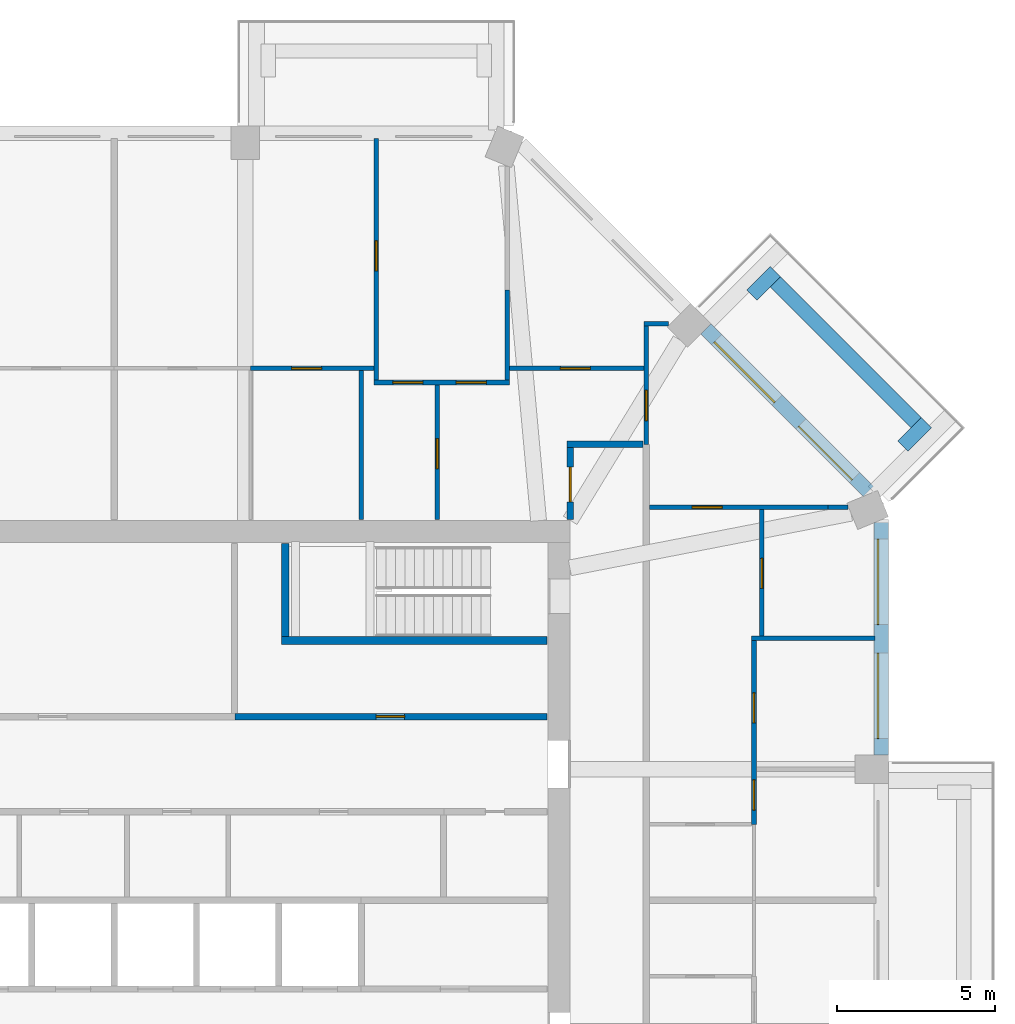
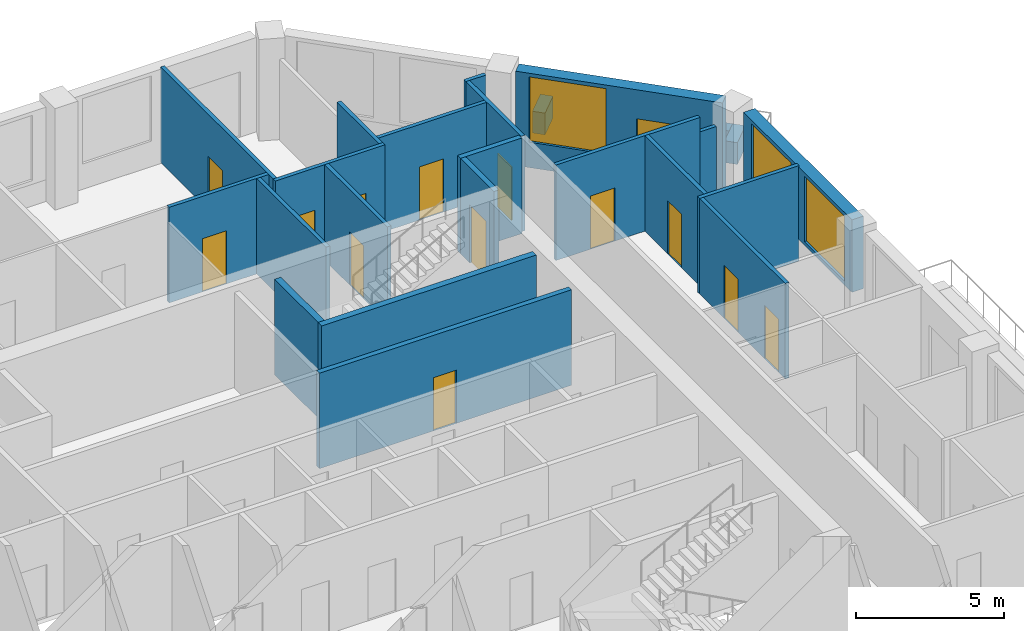
# One storey, part 9 of 12: 24 walls, 14 doors, 3 windows, 17 openings.
"""IFC4 building model written with IfcOpenShell, lengths in metres."""

from ifc_helpers import new_model, si_unit, direction, frame, frame_2d, origin, place, context, subcontext, project, spatial, rectangle, extrude, material, layer, layer_set, type_object, element, fill, save


model = new_model("IFC4")

# Units and contexts
model_context = context("Model", 3, precision=1e-05, world=origin(), true_north=direction((0.0, 1.0)))
body_context = subcontext(model_context, "Body", "Model", "MODEL_VIEW")
ifc_project = project(units=[si_unit("LENGTHUNIT", "METRE"), si_unit("AREAUNIT", "SQUARE_METRE"), si_unit("VOLUMEUNIT", "CUBIC_METRE"), si_unit("PLANEANGLEUNIT", "RADIAN"), si_unit("MASSUNIT", "GRAM", prefix="KILO")], contexts=[model_context])

# Site, building, storey
site_placement = place(None, origin())
site = spatial("IfcSite", under=ifc_project, at=site_placement, CompositionType="ELEMENT")
building_placement = place(site_placement, origin())
building = spatial("IfcBuilding", under=site, at=building_placement, Name="Msitu Wima Residences", CompositionType="ELEMENT")
storey_placement = place(building_placement, frame((0.0, 0.0, 183.300048828125)))
storey = spatial("IfcBuildingStorey", under=building, at=storey_placement, Name="L42", CompositionType="ELEMENT", Elevation=183.300048828125)

# Walls
ifc_material_1 = material(Name="Facing brick")
ifc_layer_1 = layer(ifc_material_1, 0.06494140625, Name="Facing brick")
ifc_material_2 = material(Name="Concrete C40/50", Category="concrete")
ifc_layer_2 = layer(ifc_material_2, 0.156005859375, Name="Concrete C40/50")
ifc_material_3 = material(Name="Waterproofing membrane")
ifc_layer_3 = layer(ifc_material_3, 0.00390625, Name="Waterproofing membrane")
ifc_material_4 = material(Name="Planting soil and planting")
ifc_layer_4 = layer(ifc_material_4, 0.22509765625, Name="Planting soil and planting")
ifc_layer_set_1 = layer_set([ifc_layer_1, ifc_layer_2, ifc_layer_3, ifc_layer_4], Name="Concrete C40/50")
wall_type_1 = type_object("IfcWallType", Name="Balcony planter PLANTER PL450", PredefinedType="USERDEFINED", material=ifc_layer_set_1)
wall_1_placement = place(storey_placement, frame((25.325927734375, 15.0810546875, 0.0), z_axis=(0.0, 0.0, 1.0), x_axis=(-0.707106781187, 0.707106781187, 0.0)))
element("IfcWall", 1, at=wall_1_placement, inside=storey, type_object=wall_type_1, Name="Balcony planter NE0 L42", ObjectType="PLANTER", PredefinedType="USERDEFINED", context=body_context, shape_type="SweptSolid", body=[
    extrude(rectangle(XDim=6.294189453125, YDim=0.449951171875, at=frame_2d((3.14697265625, 0.0))), origin(), (0.0, 0.0, 1.0), 0.89990234375),
])
for number, where, z_axis, x_axis, name in (
    (2, (24.901611328125, 14.338623046875, 0.0), (0.0, 0.0, 1.0), (0.707106781187, 0.707106781187, 0.0), "Balcony planter NE0 L42"),
    (3, (20.1328125, 19.107421875, 0.0), (0.0, 0.0, 1.0), (0.707106781187, 0.707106781187, 0.0), "Balcony planter NE0 L42"),
):
    element("IfcWall", number, at=place(storey_placement, frame(where, z_axis=z_axis, x_axis=x_axis)), inside=storey, type_object=wall_type_1, Name=name, ObjectType="PLANTER", PredefinedType="USERDEFINED", context=body_context, shape_type="SweptSolid", body=[
        extrude(rectangle(XDim=1.050048828125, YDim=0.449951171875, at=frame_2d((0.52490234375, 0.0))), origin(), (0.0, 0.0, 1.0), 0.89990234375),
    ])

# Wall, openings, windows
ifc_material_5 = material(Name="Brick (red buff mix)", Category="masonry")
ifc_layer_5 = layer(ifc_material_5, 0.449951171875)
ifc_layer_set_2 = layer_set([ifc_layer_5], Name="Brick (red buff mix)")
wall_type_2 = type_object("IfcWallType", Name="Brick infill wall BW450", PredefinedType="SOLIDWALL", material=ifc_layer_set_2)
wall_2_placement = place(storey_placement, frame((24.22509765625, 4.587158203125, 0.89990234375), z_axis=(0.0, 0.0, 1.0), x_axis=(0.0, 1.0, 0.0)))
wall_2 = element("IfcWall", 4, at=wall_2_placement, inside=storey, type_object=wall_type_2, Name="Brick infill wall L42 E2", PredefinedType="SOLIDWALL", context=body_context, shape_type="SweptSolid", body=[
    extrude(rectangle(XDim=7.337646484375, YDim=0.449951171875, at=frame_2d((3.6689453125, 0.0))), origin(), (0.0, 0.0, 1.0), 3.0),
])
opening_1_placement = place(wall_2_placement, frame((0.518798828125, 0.0, 0.14990234375)))
opening_1 = element("IfcOpeningElement", 5, at=opening_1_placement, cuts=wall_2, Name="Opening W40-42.004", PredefinedType="OPENING", context=body_context, shape_type="SweptSolid", body=[
    extrude(rectangle(XDim=2.699951171875, YDim=2.699951171875, at=frame_2d((1.35009765625, 1.35009765625))), frame((0.0, 0.23486328125, 0.0), z_axis=(0.0, -1.0, 0.0), x_axis=(1.0, 0.0, 0.0)), (0.0, 0.0, 1.0), 0.469970703125),
])
opening_2_placement = place(wall_2_placement, frame((4.11865234375, 0.0, 0.14990234375)))
opening_2 = element("IfcOpeningElement", 6, at=opening_2_placement, cuts=wall_2, Name="Opening W40-42.005", PredefinedType="OPENING", context=body_context, shape_type="SweptSolid", body=[
    extrude(rectangle(XDim=2.699951171875, YDim=2.699951171875, at=frame_2d((1.35009765625, 1.35009765625))), frame((0.0, 0.23486328125, 0.0), z_axis=(0.0, -1.0, 0.0), x_axis=(1.0, 0.0, 0.0)), (0.0, 0.0, 1.0), 0.469970703125),
])
ifc_material_6 = material(Name="Anodised aluminium, bronze finish, clear low-emissivity double glazing", Category="aluminium")
window_type = type_object("IfcWindowType", Name="Window W2700x2700", PartitioningType="DOUBLE_PANEL_VERTICAL", PredefinedType="WINDOW", material=ifc_material_6)
window_1_placement = place(opening_1_placement, origin())
window_1 = element("IfcWindow", 7, at=window_1_placement, inside=storey, type_object=window_type, Name="Window L42 E2.1", OverallHeight=2.699951171875, OverallWidth=2.699951171875, PartitioningType="SINGLE_PANEL", PredefinedType="WINDOW", context=body_context, shape_type="SweptSolid", body=[
    extrude(rectangle(XDim=2.699951171875, YDim=2.699951171875, at=frame_2d((1.35009765625, 1.35009765625))), frame((0.0, 0.135009765625, 0.0), z_axis=(0.0, -1.0, 0.0), x_axis=(1.0, 0.0, 0.0)), (0.0, 0.0, 1.0), 0.06005859375),
])
fill(opening_1, window_1)
window_2_placement = place(opening_2_placement, origin())
window_2 = element("IfcWindow", 8, at=window_2_placement, inside=storey, type_object=window_type, Name="Window L42 E2.2", OverallHeight=2.699951171875, OverallWidth=2.699951171875, PartitioningType="SINGLE_PANEL", PredefinedType="WINDOW", context=body_context, shape_type="SweptSolid", body=[
    extrude(rectangle(XDim=2.699951171875, YDim=2.699951171875, at=frame_2d((1.35009765625, 1.35009765625))), frame((0.0, 0.135009765625, 0.0), z_axis=(0.0, -1.0, 0.0), x_axis=(1.0, 0.0, 0.0)), (0.0, 0.0, 1.0), 0.06005859375),
])
fill(opening_2, window_2)

# Wall, openings, door, window
wall_3_placement = place(storey_placement, frame((23.814697265625, 12.915283203125, 0.0), z_axis=(0.0, 0.0, 1.0), x_axis=(-0.707106781187, 0.707106781187, 0.0)))
wall_3 = element("IfcWall", 9, at=wall_3_placement, inside=storey, type_object=wall_type_2, Name="Brick infill wall L42 NE0", PredefinedType="SOLIDWALL", context=body_context, shape_type="SweptSolid", body=[
    extrude(rectangle(XDim=7.257080078125, YDim=0.449951171875, at=frame_2d((3.62841796875, 0.0))), origin(), (0.0, 0.0, 1.0), 3.89990234375),
])
opening_3_placement = place(wall_3_placement, frame((0.6142578125, 0.0, 0.0)))
opening_3 = element("IfcOpeningElement", 10, at=opening_3_placement, cuts=wall_3, Name="Opening D40-42.004", PredefinedType="OPENING", context=body_context, shape_type="SweptSolid", body=[
    extrude(rectangle(XDim=2.39990234375, YDim=2.699951171875, at=frame_2d((1.199951171875, 1.35009765625))), frame((0.0, 0.23486328125, 0.0), z_axis=(0.0, -1.0, 0.0), x_axis=(1.0, 0.0, 0.0)), (0.0, 0.0, 1.0), 0.469970703125),
])
opening_4_placement = place(wall_3_placement, frame((4.07861328125, 0.0, 1.050048828125)))
opening_4 = element("IfcOpeningElement", 11, at=opening_4_placement, cuts=wall_3, Name="Opening W40-42.010", PredefinedType="OPENING", context=body_context, shape_type="SweptSolid", body=[
    extrude(rectangle(XDim=2.699951171875, YDim=2.699951171875, at=frame_2d((1.35009765625, 1.35009765625))), frame((0.0, 0.23486328125, 0.0), z_axis=(0.0, -1.0, 0.0), x_axis=(1.0, 0.0, 0.0)), (0.0, 0.0, 1.0), 0.469970703125),
])
door_type_1 = type_object("IfcDoorType", Name="Balcony door D2400x2700", OperationType="SLIDING_TO_LEFT", PredefinedType="DOOR", material=ifc_material_6)
door_1_placement = place(opening_3_placement, origin())
door_1 = element("IfcDoor", 12, at=door_1_placement, inside=storey, type_object=door_type_1, Name="Balcony door L42 NE0", OperationType="SINGLE_SWING_LEFT", OverallHeight=2.699951171875, OverallWidth=2.39990234375, PredefinedType="DOOR", context=body_context, shape_type="SweptSolid", body=[
    extrude(rectangle(XDim=2.39990234375, YDim=2.699951171875, at=frame_2d((1.199951171875, 1.35009765625))), frame((0.0, 0.1298828125, 0.0), z_axis=(0.0, -1.0, 0.0), x_axis=(1.0, 0.0, 0.0)), (0.0, 0.0, 1.0), 0.050048828125),
])
fill(opening_3, door_1)
window_3_placement = place(opening_4_placement, origin())
window_3 = element("IfcWindow", 13, at=window_3_placement, inside=storey, type_object=window_type, Name="Window L42 NE0.2", OverallHeight=2.699951171875, OverallWidth=2.699951171875, PartitioningType="SINGLE_PANEL", PredefinedType="WINDOW", context=body_context, shape_type="SweptSolid", body=[
    extrude(rectangle(XDim=2.699951171875, YDim=2.699951171875, at=frame_2d((1.35009765625, 1.35009765625))), frame((0.0, 0.135009765625, 0.0), z_axis=(0.0, -1.0, 0.0), x_axis=(1.0, 0.0, 0.0)), (0.0, 0.0, 1.0), 0.06005859375),
])
fill(opening_4, window_3)

# Wall, opening, door
ifc_material_7 = material(Name="Plaster")
ifc_layer_6 = layer(ifc_material_7, 0.011962890625, Name="Plaster")
ifc_material_8 = material(Name="Concrete blockwork", Category="masonry")
ifc_layer_7 = layer(ifc_material_8, 0.176025390625, Name="Concrete blockwork")
ifc_layer_8 = layer(ifc_material_7, 0.011962890625, Name="Plaster")
ifc_layer_set_3 = layer_set([ifc_layer_6, ifc_layer_7, ifc_layer_8], Name="Concrete blockwork")
wall_type_3 = type_object("IfcWallType", Name="Corridor wall FW200", PredefinedType="PARTITIONING", material=ifc_layer_set_3)
wall_4_placement = place(storey_placement, frame((14.39990234375, 12.030029296875, 0.0), z_axis=(0.0, 0.0, 1.0), x_axis=(0.0, 1.0, 0.0)))
wall_4 = element("IfcWall", 14, at=wall_4_placement, inside=storey, type_object=wall_type_3, Name="Corridor wall", PredefinedType="PARTITIONING", context=body_context, shape_type="SweptSolid", body=[
    extrude(rectangle(XDim=2.27001953125, YDim=0.199951171875, at=frame_2d((1.135009765625, 0.0))), origin(), (0.0, 0.0, 1.0), 3.949951171875),
])
opening_5_placement = place(wall_4_placement, frame((0.550048828125, 0.0, 0.0)))
opening_5 = element("IfcOpeningElement", 15, at=opening_5_placement, cuts=wall_4, Name="Opening D40-42.011", PredefinedType="OPENING", context=body_context, shape_type="SweptSolid", body=[
    extrude(rectangle(XDim=1.10009765625, YDim=2.39990234375, at=frame_2d((0.550048828125, 1.199951171875))), frame((0.0, 0.10986328125, 0.0), z_axis=(0.0, -1.0, 0.0), x_axis=(1.0, 0.0, 0.0)), (0.0, 0.0, 1.0), 0.219970703125),
])
ifc_material_9 = material(Name="Timber flush door, fire resisting, self-closing", Category="wood")
door_type_2 = type_object("IfcDoorType", Name="Flat entrance door D01 1100x2400", OperationType="SINGLE_SWING_LEFT", PredefinedType="DOOR", material=ifc_material_9)
door_2_placement = place(opening_5_placement, origin())
door_2 = element("IfcDoor", 16, at=door_2_placement, inside=storey, type_object=door_type_2, Name="Flat entrance door", OperationType="SINGLE_SWING_LEFT", OverallHeight=2.39990234375, OverallWidth=1.10009765625, PredefinedType="DOOR", context=body_context, shape_type="SweptSolid", body=[
    extrude(rectangle(XDim=1.10009765625, YDim=2.39990234375, at=frame_2d((0.550048828125, 1.199951171875))), frame((0.0, 0.02490234375, 0.0), z_axis=(0.0, -1.0, 0.0), x_axis=(1.0, 0.0, 0.0)), (0.0, 0.0, 1.0), 0.050048828125),
])
fill(opening_5, door_2)

# Wall
wall_5_placement = place(storey_placement, frame((14.300048828125, 14.39990234375, 0.0), z_axis=(0.0, 0.0, 1.0), x_axis=(1.0, 0.0, 0.0)))
element("IfcWall", 17, at=wall_5_placement, inside=storey, type_object=wall_type_3, Name="Corridor wall", PredefinedType="PARTITIONING", context=body_context, shape_type="SweptSolid", body=[
    extrude(rectangle(XDim=2.39990234375, YDim=0.199951171875, at=frame_2d((1.199951171875, 0.0))), origin(), (0.0, 0.0, 1.0), 3.949951171875),
])

# Wall, opening, door
ifc_layer_9 = layer(ifc_material_7, 0.011962890625, Name="Plaster")
ifc_layer_10 = layer(ifc_material_8, 0.1259765625, Name="Concrete blockwork")
ifc_layer_11 = layer(ifc_material_7, 0.011962890625, Name="Plaster")
ifc_layer_set_4 = layer_set([ifc_layer_9, ifc_layer_10, ifc_layer_11], Name="Concrete blockwork")
wall_type_4 = type_object("IfcWallType", Name="Partition PW150", PredefinedType="PARTITIONING", material=ifc_layer_set_4)
wall_6_placement = place(storey_placement, frame((4.300048828125, 16.800048828125, 0.0), z_axis=(0.0, 0.0, 1.0), x_axis=(1.0, 0.0, 0.0)))
wall_6 = element("IfcWall", 18, at=wall_6_placement, inside=storey, type_object=wall_type_4, Name="Partition", PredefinedType="PARTITIONING", context=body_context, shape_type="SweptSolid", body=[
    extrude(rectangle(XDim=3.8994140625, YDim=0.14990234375, at=frame_2d((1.94970703125, 0.0))), origin(), (0.0, 0.0, 1.0), 3.949951171875),
])
opening_6_placement = place(wall_6_placement, frame((1.300048828125, 0.0, 0.0)))
opening_6 = element("IfcOpeningElement", 19, at=opening_6_placement, cuts=wall_6, Name="Opening D40-42.014", PredefinedType="OPENING", context=body_context, shape_type="SweptSolid", body=[
    extrude(rectangle(XDim=0.949951171875, YDim=2.199951171875, at=frame_2d((0.47509765625, 1.10009765625))), frame((0.0, 0.0849609375, 0.0), z_axis=(0.0, -1.0, 0.0), x_axis=(1.0, 0.0, 0.0)), (0.0, 0.0, 1.0), 0.169921875),
])
ifc_material_10 = material(Name="Timber flush door", Category="wood")
door_type_3 = type_object("IfcDoorType", Name="Room door D12 950x2200", OperationType="SINGLE_SWING_LEFT", PredefinedType="DOOR", material=ifc_material_10)
door_3_placement = place(opening_6_placement, origin())
door_3 = element("IfcDoor", 20, at=door_3_placement, inside=storey, type_object=door_type_3, Name="Room door", OperationType="SINGLE_SWING_RIGHT", OverallHeight=2.199951171875, OverallWidth=0.949951171875, PredefinedType="DOOR", context=body_context, shape_type="SweptSolid", body=[
    extrude(rectangle(XDim=0.949951171875, YDim=2.199951171875, at=frame_2d((0.47509765625, 1.10009765625))), frame((0.0, 0.02490234375, 0.0), z_axis=(0.0, -1.0, 0.0), x_axis=(1.0, 0.0, 0.0)), (0.0, 0.0, 1.0), 0.050048828125),
])
fill(opening_6, door_3)

# Wall
wall_7_placement = place(storey_placement, frame((7.800048828125, 12.030029296875, 0.0), z_axis=(0.0, 0.0, 1.0), x_axis=(0.0, 1.0, 0.0)))
element("IfcWall", 21, at=wall_7_placement, inside=storey, type_object=wall_type_4, Name="Partition", PredefinedType="PARTITIONING", context=body_context, shape_type="SweptSolid", body=[
    extrude(rectangle(XDim=4.695068359375, YDim=0.14990234375, at=frame_2d((2.34765625, 0.0))), origin(), (0.0, 0.0, 1.0), 3.949951171875),
])

# Wall, opening, door
wall_8_placement = place(storey_placement, frame((8.2744140625, 16.425048828125, 0.0), z_axis=(0.0, 0.0, 1.0), x_axis=(0.0, 1.0, 0.0)))
wall_8 = element("IfcWall", 22, at=wall_8_placement, inside=storey, type_object=wall_type_4, Name="Partition", PredefinedType="PARTITIONING", context=body_context, shape_type="SweptSolid", body=[
    extrude(rectangle(XDim=7.6298828125, YDim=0.14990234375, at=frame_2d((3.81494140625, 0.0))), origin(), (0.0, 0.0, 1.0), 3.949951171875),
])
opening_7_placement = place(wall_8_placement, frame((3.449951171875, 0.0, 0.0)))
opening_7 = element("IfcOpeningElement", 23, at=opening_7_placement, cuts=wall_8, Name="Opening D40-42.020", PredefinedType="OPENING", context=body_context, shape_type="SweptSolid", body=[
    extrude(rectangle(XDim=0.949951171875, YDim=2.199951171875, at=frame_2d((0.47509765625, 1.10009765625))), frame((0.0, 0.0849609375, 0.0), z_axis=(0.0, -1.0, 0.0), x_axis=(1.0, 0.0, 0.0)), (0.0, 0.0, 1.0), 0.169921875),
])
door_4_placement = place(opening_7_placement, origin())
door_4 = element("IfcDoor", 24, at=door_4_placement, inside=storey, type_object=door_type_3, Name="Room door", OperationType="SINGLE_SWING_RIGHT", OverallHeight=2.199951171875, OverallWidth=0.949951171875, PredefinedType="DOOR", context=body_context, shape_type="SweptSolid", body=[
    extrude(rectangle(XDim=0.949951171875, YDim=2.199951171875, at=frame_2d((0.47509765625, 1.10009765625))), frame((0.0, 0.02490234375, 0.0), z_axis=(0.0, -1.0, 0.0), x_axis=(1.0, 0.0, 0.0)), (0.0, 0.0, 1.0), 0.050048828125),
])
fill(opening_7, door_4)

# Wall, openings, doors
wall_9_placement = place(storey_placement, frame((8.199462890625, 16.35009765625, 0.0), z_axis=(0.0, 0.0, 1.0), x_axis=(1.0, 0.0, 0.0)))
wall_9 = element("IfcWall", 25, at=wall_9_placement, inside=storey, type_object=wall_type_4, Name="Partition", PredefinedType="PARTITIONING", context=body_context, shape_type="SweptSolid", body=[
    extrude(rectangle(XDim=4.287353515625, YDim=0.14990234375, at=frame_2d((2.1435546875, 0.0))), origin(), (0.0, 0.0, 1.0), 3.949951171875),
])
opening_8_placement = place(wall_9_placement, frame((2.60009765625, 0.0, 0.0)))
opening_8 = element("IfcOpeningElement", 26, at=opening_8_placement, cuts=wall_9, Name="Opening D40-42.017", PredefinedType="OPENING", context=body_context, shape_type="SweptSolid", body=[
    extrude(rectangle(XDim=0.949951171875, YDim=2.199951171875, at=frame_2d((0.47509765625, 1.10009765625))), frame((0.0, 0.0849609375, 0.0), z_axis=(0.0, -1.0, 0.0), x_axis=(1.0, 0.0, 0.0)), (0.0, 0.0, 1.0), 0.169921875),
])
opening_9_placement = place(wall_9_placement, frame((0.60009765625, 0.0, 0.0)))
opening_9 = element("IfcOpeningElement", 27, at=opening_9_placement, cuts=wall_9, Name="Opening D40-42.016", PredefinedType="OPENING", context=body_context, shape_type="SweptSolid", body=[
    extrude(rectangle(XDim=0.949951171875, YDim=2.199951171875, at=frame_2d((0.47509765625, 1.10009765625))), frame((0.0, 0.0849609375, 0.0), z_axis=(0.0, -1.0, 0.0), x_axis=(1.0, 0.0, 0.0)), (0.0, 0.0, 1.0), 0.169921875),
])
door_5_placement = place(opening_8_placement, origin())
door_5 = element("IfcDoor", 28, at=door_5_placement, inside=storey, type_object=door_type_3, Name="Room door", OperationType="SINGLE_SWING_RIGHT", OverallHeight=2.199951171875, OverallWidth=0.949951171875, PredefinedType="DOOR", context=body_context, shape_type="SweptSolid", body=[
    extrude(rectangle(XDim=0.949951171875, YDim=2.199951171875, at=frame_2d((0.47509765625, 1.10009765625))), frame((0.0, 0.02490234375, 0.0), z_axis=(0.0, -1.0, 0.0), x_axis=(1.0, 0.0, 0.0)), (0.0, 0.0, 1.0), 0.050048828125),
])
fill(opening_8, door_5)
door_6_placement = place(opening_9_placement, origin())
door_6 = element("IfcDoor", 29, at=door_6_placement, inside=storey, type_object=door_type_3, Name="Room door", OperationType="SINGLE_SWING_LEFT", OverallHeight=2.199951171875, OverallWidth=0.949951171875, PredefinedType="DOOR", context=body_context, shape_type="SweptSolid", body=[
    extrude(rectangle(XDim=0.949951171875, YDim=2.199951171875, at=frame_2d((0.47509765625, 1.10009765625))), frame((0.0, 0.02490234375, 0.0), z_axis=(0.0, -1.0, 0.0), x_axis=(1.0, 0.0, 0.0)), (0.0, 0.0, 1.0), 0.050048828125),
])
fill(opening_9, door_6)

# Wall, opening, door
wall_10_placement = place(storey_placement, frame((10.199951171875, 12.030029296875, 0.0), z_axis=(0.0, 0.0, 1.0), x_axis=(0.0, 1.0, 0.0)))
wall_10 = element("IfcWall", 30, at=wall_10_placement, inside=storey, type_object=wall_type_4, Name="Partition", PredefinedType="PARTITIONING", context=body_context, shape_type="SweptSolid", body=[
    extrude(rectangle(XDim=4.244873046875, YDim=0.14990234375, at=frame_2d((2.12255859375, 0.0))), origin(), (0.0, 0.0, 1.0), 3.949951171875),
])
opening_10_placement = place(wall_10_placement, frame((1.60009765625, 0.0, 0.0)))
opening_10 = element("IfcOpeningElement", 31, at=opening_10_placement, cuts=wall_10, Name="Opening D40-42.012", PredefinedType="OPENING", context=body_context, shape_type="SweptSolid", body=[
    extrude(rectangle(XDim=0.949951171875, YDim=2.199951171875, at=frame_2d((0.47509765625, 1.10009765625))), frame((0.0, 0.0849609375, 0.0), z_axis=(0.0, -1.0, 0.0), x_axis=(1.0, 0.0, 0.0)), (0.0, 0.0, 1.0), 0.169921875),
])
door_7_placement = place(opening_10_placement, origin())
door_7 = element("IfcDoor", 32, at=door_7_placement, inside=storey, type_object=door_type_3, Name="Room door", OperationType="SINGLE_SWING_LEFT", OverallHeight=2.199951171875, OverallWidth=0.949951171875, PredefinedType="DOOR", context=body_context, shape_type="SweptSolid", body=[
    extrude(rectangle(XDim=0.949951171875, YDim=2.199951171875, at=frame_2d((0.47509765625, 1.10009765625))), frame((0.0, 0.02490234375, 0.0), z_axis=(0.0, -1.0, 0.0), x_axis=(1.0, 0.0, 0.0)), (0.0, 0.0, 1.0), 0.050048828125),
])
fill(opening_10, door_7)

# Wall
wall_11_placement = place(storey_placement, frame((12.411865234375, 16.425048828125, 0.0), z_axis=(0.0, 0.0, 1.0), x_axis=(0.0, 1.0, 0.0)))
element("IfcWall", 33, at=wall_11_placement, inside=storey, type_object=wall_type_4, Name="Partition", PredefinedType="PARTITIONING", context=body_context, shape_type="SweptSolid", body=[
    extrude(rectangle(XDim=2.845458984375, YDim=0.14990234375, at=frame_2d((1.4228515625, 0.0))), origin(), (0.0, 0.0, 1.0), 3.949951171875),
])

# Wall, opening, door
wall_12_placement = place(storey_placement, frame((12.48681640625, 16.800048828125, 0.0), z_axis=(0.0, 0.0, 1.0), x_axis=(1.0, 0.0, 0.0)))
wall_12 = element("IfcWall", 34, at=wall_12_placement, inside=storey, type_object=wall_type_4, Name="Partition", PredefinedType="PARTITIONING", context=body_context, shape_type="SweptSolid", body=[
    extrude(rectangle(XDim=4.23828125, YDim=0.14990234375, at=frame_2d((2.119140625, 0.0))), origin(), (0.0, 0.0, 1.0), 3.949951171875),
])
opening_11_placement = place(wall_12_placement, frame((1.60009765625, 0.0, 0.0)))
opening_11 = element("IfcOpeningElement", 35, at=opening_11_placement, cuts=wall_12, Name="Opening D40-42.018", PredefinedType="OPENING", context=body_context, shape_type="SweptSolid", body=[
    extrude(rectangle(XDim=0.949951171875, YDim=2.199951171875, at=frame_2d((0.47509765625, 1.10009765625))), frame((0.0, 0.0849609375, 0.0), z_axis=(0.0, -1.0, 0.0), x_axis=(1.0, 0.0, 0.0)), (0.0, 0.0, 1.0), 0.169921875),
])
door_8_placement = place(opening_11_placement, origin())
door_8 = element("IfcDoor", 36, at=door_8_placement, inside=storey, type_object=door_type_3, Name="Room door", OperationType="SINGLE_SWING_LEFT", OverallHeight=2.199951171875, OverallWidth=0.949951171875, PredefinedType="DOOR", context=body_context, shape_type="SweptSolid", body=[
    extrude(rectangle(XDim=0.949951171875, YDim=2.199951171875, at=frame_2d((0.47509765625, 1.10009765625))), frame((0.0, 0.02490234375, 0.0), z_axis=(0.0, -1.0, 0.0), x_axis=(1.0, 0.0, 0.0)), (0.0, 0.0, 1.0), 0.050048828125),
])
fill(opening_11, door_8)

wall_13_placement = place(storey_placement, frame((16.89990234375, 12.411865234375, 0.0), z_axis=(0.0, 0.0, 1.0), x_axis=(1.0, 0.0, 0.0)))
wall_13 = element("IfcWall", 37, at=wall_13_placement, inside=storey, type_object=wall_type_4, Name="Partition", PredefinedType="PARTITIONING", context=body_context, shape_type="SweptSolid", body=[
    extrude(rectangle(XDim=5.638427734375, YDim=0.14990234375, at=frame_2d((2.8193359375, 0.0))), origin(), (0.0, 0.0, 1.0), 3.949951171875),
])
opening_12_placement = place(wall_13_placement, frame((1.35009765625, 0.0, 0.0)))
opening_12 = element("IfcOpeningElement", 38, at=opening_12_placement, cuts=wall_13, Name="Opening D40-42.021", PredefinedType="OPENING", context=body_context, shape_type="SweptSolid", body=[
    extrude(rectangle(XDim=0.949951171875, YDim=2.199951171875, at=frame_2d((0.47509765625, 1.10009765625))), frame((0.0, 0.0849609375, 0.0), z_axis=(0.0, -1.0, 0.0), x_axis=(1.0, 0.0, 0.0)), (0.0, 0.0, 1.0), 0.169921875),
])
door_9_placement = place(opening_12_placement, origin())
door_9 = element("IfcDoor", 39, at=door_9_placement, inside=storey, type_object=door_type_3, Name="Room door", OperationType="SINGLE_SWING_LEFT", OverallHeight=2.199951171875, OverallWidth=0.949951171875, PredefinedType="DOOR", context=body_context, shape_type="SweptSolid", body=[
    extrude(rectangle(XDim=0.949951171875, YDim=2.199951171875, at=frame_2d((0.47509765625, 1.10009765625))), frame((0.0, 0.02490234375, 0.0), z_axis=(0.0, -1.0, 0.0), x_axis=(1.0, 0.0, 0.0)), (0.0, 0.0, 1.0), 0.050048828125),
])
fill(opening_12, door_9)

# Wall
wall_14_placement = place(storey_placement, frame((22.538330078125, 12.411865234375, 0.0), z_axis=(0.0, 0.0, 1.0), x_axis=(1.0, 0.0, 0.0)))
element("IfcWall", 40, at=wall_14_placement, inside=storey, type_object=wall_type_4, Name="Partition", PredefinedType="PARTITIONING", context=body_context, shape_type="SweptSolid", body=[
    extrude(rectangle(XDim=0.630615234375, YDim=0.14990234375, at=frame_2d((0.3154296875, 0.0))), origin(), (0.0, 0.0, 1.0), 3.349853515625),
])

# Wall, opening, door
wall_15_placement = place(storey_placement, frame((16.800048828125, 14.39990234375, 0.0), z_axis=(0.0, 0.0, 1.0), x_axis=(0.0, 1.0, 0.0)))
wall_15 = element("IfcWall", 41, at=wall_15_placement, inside=storey, type_object=wall_type_4, Name="Partition", PredefinedType="PARTITIONING", context=body_context, shape_type="SweptSolid", body=[
    extrude(rectangle(XDim=3.73095703125, YDim=0.14990234375, at=frame_2d((1.865478515625, 0.0))), origin(), (0.0, 0.0, 1.0), 3.949951171875),
])
opening_13_placement = place(wall_15_placement, frame((0.75, 0.0, 0.0)))
opening_13 = element("IfcOpeningElement", 42, at=opening_13_placement, cuts=wall_15, Name="Opening D40-42.019", PredefinedType="OPENING", context=body_context, shape_type="SweptSolid", body=[
    extrude(rectangle(XDim=0.949951171875, YDim=2.199951171875, at=frame_2d((0.47509765625, 1.10009765625))), frame((0.0, 0.0849609375, 0.0), z_axis=(0.0, -1.0, 0.0), x_axis=(1.0, 0.0, 0.0)), (0.0, 0.0, 1.0), 0.169921875),
])
door_10_placement = place(opening_13_placement, origin())
door_10 = element("IfcDoor", 43, at=door_10_placement, inside=storey, type_object=door_type_3, Name="Room door", OperationType="SINGLE_SWING_LEFT", OverallHeight=2.199951171875, OverallWidth=0.949951171875, PredefinedType="DOOR", context=body_context, shape_type="SweptSolid", body=[
    extrude(rectangle(XDim=0.949951171875, YDim=2.199951171875, at=frame_2d((0.47509765625, 1.10009765625))), frame((0.0, 0.02490234375, 0.0), z_axis=(0.0, -1.0, 0.0), x_axis=(1.0, 0.0, 0.0)), (0.0, 0.0, 1.0), 0.050048828125),
])
fill(opening_13, door_10)

# Wall
wall_16_placement = place(storey_placement, frame((16.72509765625, 18.205810546875, 0.0), z_axis=(0.0, 0.0, 1.0), x_axis=(1.0, 0.0, 0.0)))
element("IfcWall", 44, at=wall_16_placement, inside=storey, type_object=wall_type_4, Name="Partition", PredefinedType="PARTITIONING", context=body_context, shape_type="SweptSolid", body=[
    extrude(rectangle(XDim=0.784423828125, YDim=0.14990234375, at=frame_2d((0.39208984375, 0.0))), origin(), (0.0, 0.0, 1.0), 3.949951171875),
])

# Wall, openings, doors
wall_17_placement = place(storey_placement, frame((20.199951171875, 2.39990234375, 0.0), z_axis=(0.0, 0.0, 1.0), x_axis=(0.0, 1.0, 0.0)))
wall_17 = element("IfcWall", 45, at=wall_17_placement, inside=storey, type_object=wall_type_4, Name="Partition", PredefinedType="PARTITIONING", context=body_context, shape_type="SweptSolid", body=[
    extrude(rectangle(XDim=5.799560546875, YDim=0.14990234375, at=frame_2d((2.89990234375, 0.0))), origin(), (0.0, 0.0, 1.0), 3.949951171875),
])
opening_14_placement = place(wall_17_placement, frame((0.449951171875, 0.0, 0.0)))
opening_14 = element("IfcOpeningElement", 46, at=opening_14_placement, cuts=wall_17, Name="Opening D40-42.022", PredefinedType="OPENING", context=body_context, shape_type="SweptSolid", body=[
    extrude(rectangle(XDim=0.949951171875, YDim=2.199951171875, at=frame_2d((0.47509765625, 1.10009765625))), frame((0.0, 0.0849609375, 0.0), z_axis=(0.0, -1.0, 0.0), x_axis=(1.0, 0.0, 0.0)), (0.0, 0.0, 1.0), 0.169921875),
])
opening_15_placement = place(wall_17_placement, frame((3.199951171875, 0.0, 0.0)))
opening_15 = element("IfcOpeningElement", 47, at=opening_15_placement, cuts=wall_17, Name="Opening D40-42.023", PredefinedType="OPENING", context=body_context, shape_type="SweptSolid", body=[
    extrude(rectangle(XDim=0.949951171875, YDim=2.199951171875, at=frame_2d((0.47509765625, 1.10009765625))), frame((0.0, 0.0849609375, 0.0), z_axis=(0.0, -1.0, 0.0), x_axis=(1.0, 0.0, 0.0)), (0.0, 0.0, 1.0), 0.169921875),
])
door_11_placement = place(opening_14_placement, origin())
door_11 = element("IfcDoor", 48, at=door_11_placement, inside=storey, type_object=door_type_3, Name="Room door", OperationType="SINGLE_SWING_LEFT", OverallHeight=2.199951171875, OverallWidth=0.949951171875, PredefinedType="DOOR", context=body_context, shape_type="SweptSolid", body=[
    extrude(rectangle(XDim=0.949951171875, YDim=2.199951171875, at=frame_2d((0.47509765625, 1.10009765625))), frame((0.0, 0.02490234375, 0.0), z_axis=(0.0, -1.0, 0.0), x_axis=(1.0, 0.0, 0.0)), (0.0, 0.0, 1.0), 0.050048828125),
])
fill(opening_14, door_11)
door_12_placement = place(opening_15_placement, origin())
door_12 = element("IfcDoor", 49, at=door_12_placement, inside=storey, type_object=door_type_3, Name="Room door", OperationType="SINGLE_SWING_RIGHT", OverallHeight=2.199951171875, OverallWidth=0.949951171875, PredefinedType="DOOR", context=body_context, shape_type="SweptSolid", body=[
    extrude(rectangle(XDim=0.949951171875, YDim=2.199951171875, at=frame_2d((0.47509765625, 1.10009765625))), frame((0.0, 0.02490234375, 0.0), z_axis=(0.0, -1.0, 0.0), x_axis=(1.0, 0.0, 0.0)), (0.0, 0.0, 1.0), 0.050048828125),
])
fill(opening_15, door_12)

# Wall
wall_18_placement = place(storey_placement, frame((20.125, 8.2744140625, 0.0), z_axis=(0.0, 0.0, 1.0), x_axis=(1.0, 0.0, 0.0)))
element("IfcWall", 50, at=wall_18_placement, inside=storey, type_object=wall_type_4, Name="Partition", PredefinedType="PARTITIONING", context=body_context, shape_type="SweptSolid", body=[
    extrude(rectangle(XDim=3.89990234375, YDim=0.14990234375, at=frame_2d((1.949951171875, 0.0))), origin(), (0.0, 0.0, 1.0), 3.949951171875),
])

# Wall, opening, door
wall_19_placement = place(storey_placement, frame((20.449951171875, 8.349609375, 0.0), z_axis=(0.0, 0.0, 1.0), x_axis=(0.0, 1.0, 0.0)))
wall_19 = element("IfcWall", 51, at=wall_19_placement, inside=storey, type_object=wall_type_4, Name="Partition", PredefinedType="PARTITIONING", context=body_context, shape_type="SweptSolid", body=[
    extrude(rectangle(XDim=3.987060546875, YDim=0.14990234375, at=frame_2d((1.99365234375, 0.0))), origin(), (0.0, 0.0, 1.0), 3.949951171875),
])
opening_16_placement = place(wall_19_placement, frame((1.5, 0.0, 0.0)))
opening_16 = element("IfcOpeningElement", 52, at=opening_16_placement, cuts=wall_19, Name="Opening D40-42.024", PredefinedType="OPENING", context=body_context, shape_type="SweptSolid", body=[
    extrude(rectangle(XDim=0.949951171875, YDim=2.199951171875, at=frame_2d((0.47509765625, 1.10009765625))), frame((0.0, 0.0849609375, 0.0), z_axis=(0.0, -1.0, 0.0), x_axis=(1.0, 0.0, 0.0)), (0.0, 0.0, 1.0), 0.169921875),
])
door_13_placement = place(opening_16_placement, origin())
door_13 = element("IfcDoor", 53, at=door_13_placement, inside=storey, type_object=door_type_3, Name="Room door", OperationType="SINGLE_SWING_LEFT", OverallHeight=2.199951171875, OverallWidth=0.949951171875, PredefinedType="DOOR", context=body_context, shape_type="SweptSolid", body=[
    extrude(rectangle(XDim=0.949951171875, YDim=2.199951171875, at=frame_2d((0.47509765625, 1.10009765625))), frame((0.0, 0.02490234375, 0.0), z_axis=(0.0, -1.0, 0.0), x_axis=(1.0, 0.0, 0.0)), (0.0, 0.0, 1.0), 0.050048828125),
])
fill(opening_16, door_13)

ifc_layer_12 = layer(ifc_material_7, 0.011962890625, Name="Plaster")
ifc_material_11 = material(Name="Reinforced concrete blockwork", Category="masonry")
ifc_layer_13 = layer(ifc_material_11, 0.176025390625, Name="Reinforced concrete blockwork")
ifc_layer_14 = layer(ifc_material_7, 0.011962890625, Name="Plaster")
ifc_layer_set_5 = layer_set([ifc_layer_12, ifc_layer_13, ifc_layer_14], Name="Reinforced concrete blockwork")
wall_type_5 = type_object("IfcWallType", Name="Plant and riser wall PL200", PredefinedType="PARTITIONING", material=ifc_layer_set_5)
wall_20_placement = place(storey_placement, frame((3.820068359375, 5.800048828125, 0.0), z_axis=(0.0, 0.0, 1.0), x_axis=(1.0, 0.0, 0.0)))
wall_20 = element("IfcWall", 54, at=wall_20_placement, inside=storey, type_object=wall_type_5, Name="Plant and riser wall", PredefinedType="PARTITIONING", context=body_context, shape_type="SweptSolid", body=[
    extrude(rectangle(XDim=9.849853515625, YDim=0.199951171875, at=frame_2d((4.9248046875, 0.0))), origin(), (0.0, 0.0, 1.0), 3.949951171875),
])
opening_17_placement = place(wall_20_placement, frame((4.449951171875, 0.0, 0.0)))
opening_17 = element("IfcOpeningElement", 55, at=opening_17_placement, cuts=wall_20, Name="Opening D40-42.073", PredefinedType="OPENING", context=body_context, shape_type="SweptSolid", body=[
    extrude(rectangle(XDim=0.89990234375, YDim=2.199951171875, at=frame_2d((0.449951171875, 1.10009765625))), frame((0.0, 0.10986328125, 0.0), z_axis=(0.0, -1.0, 0.0), x_axis=(1.0, 0.0, 0.0)), (0.0, 0.0, 1.0), 0.219970703125),
])
door_type_4 = type_object("IfcDoorType", Name="Service door D05 900x2200", OperationType="SINGLE_SWING_LEFT", PredefinedType="DOOR", material=ifc_material_10)
door_14_placement = place(opening_17_placement, origin())
door_14 = element("IfcDoor", 56, at=door_14_placement, inside=storey, type_object=door_type_4, Name="Service door", OperationType="SINGLE_SWING_LEFT", OverallHeight=2.199951171875, OverallWidth=0.89990234375, PredefinedType="DOOR", context=body_context, shape_type="SweptSolid", body=[
    extrude(rectangle(XDim=0.89990234375, YDim=2.199951171875, at=frame_2d((0.449951171875, 1.10009765625))), frame((0.0, 0.02490234375, 0.0), z_axis=(0.0, -1.0, 0.0), x_axis=(1.0, 0.0, 0.0)), (0.0, 0.0, 1.0), 0.050048828125),
])
fill(opening_17, door_14)

# Walls
ifc_material_12 = material(Name="Concrete C50/60", Category="concrete")
ifc_layer_15 = layer(ifc_material_12, 0.25)
ifc_layer_set_6 = layer_set([ifc_layer_15], Name="Concrete C50/60")
wall_type_6 = type_object("IfcWallType", Name="Stair enclosure wall SW250", PredefinedType="SHEAR", material=ifc_layer_set_6)
wall_21_placement = place(storey_placement, frame((5.39990234375, 8.324951171875, 0.0), z_axis=(0.0, 0.0, 1.0), x_axis=(0.0, 1.0, 0.0)))
element("IfcWall", 57, at=wall_21_placement, inside=storey, type_object=wall_type_6, Name="Stair enclosure wall", PredefinedType="SHEAR", context=body_context, shape_type="SweptSolid", body=[
    extrude(rectangle(XDim=2.945068359375, YDim=0.25, at=frame_2d((1.47265625, 0.0))), origin(), (0.0, 0.0, 1.0), 3.949951171875),
])
wall_22_placement = place(storey_placement, frame((5.27490234375, 8.199951171875, 0.0), z_axis=(0.0, 0.0, 1.0), x_axis=(1.0, 0.0, 0.0)))
element("IfcWall", 58, at=wall_22_placement, inside=storey, type_object=wall_type_6, Name="Stair enclosure wall", PredefinedType="SHEAR", context=body_context, shape_type="SweptSolid", body=[
    extrude(rectangle(XDim=8.39501953125, YDim=0.25, at=frame_2d((4.197509765625, 0.0))), origin(), (0.0, 0.0, 1.0), 3.949951171875),
])

save(model, "model.ifc")
